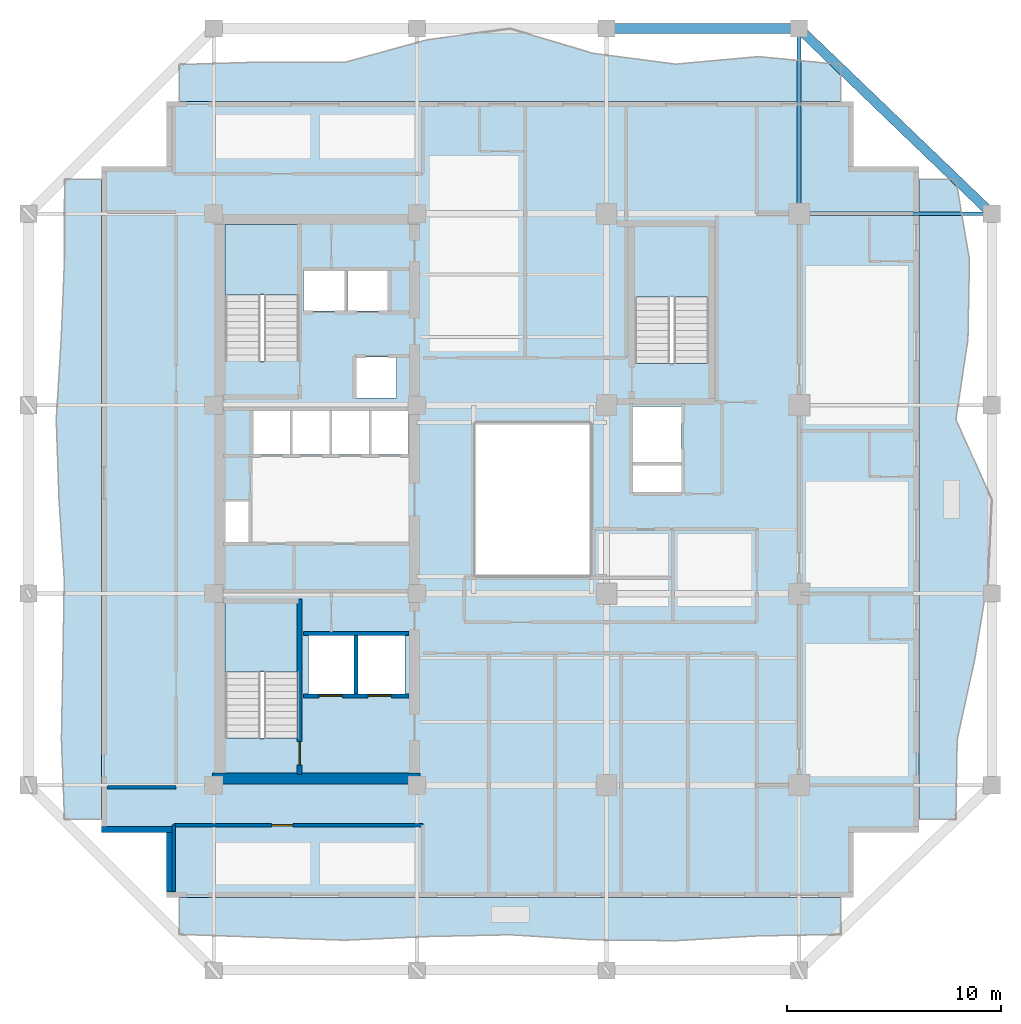
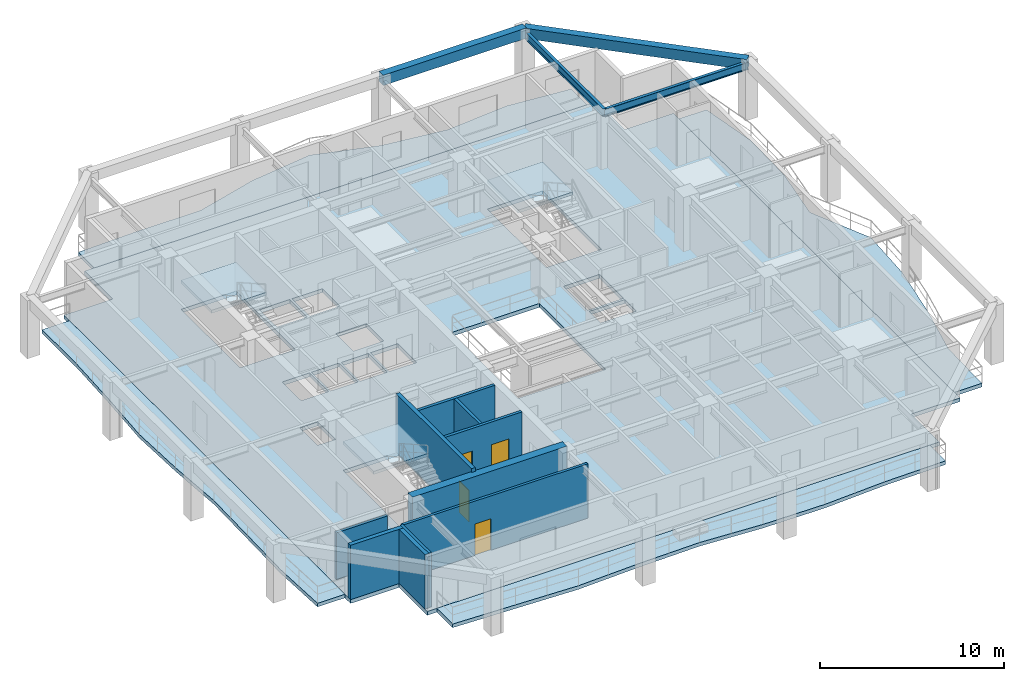
# One storey, part 2 of 11: 10 walls, 8 slabs, 4 beams, 4 doors, 4 openings, 3 elements without a shape of their own.
"""IFC4 building model written with IfcOpenShell, lengths in metres."""

import ifcopenshell
import ifcopenshell.guid

model = None  # the IFC model being written
_history = None  # IfcOwnerHistory: only IFC2X3 demands one
_inside = {}  # id of a spatial element -> (the spatial element, [elements in it])
_under = {}  # id of a project, library or spatial element -> (it, [spatial elements below it])
_declared = {}  # id of a project -> (the project, [libraries it declares])
_typed = {}  # id of a type object -> (the type object, [elements of that type])
_made_of = {}  # id of a material, layer set ... -> (it, [elements and type objects made of it])


def new_model(schema):
    """Start an empty IFC model of exactly this schema.

    Asked for "IFC4X3", IfcOpenShell would pick the latest addendum, in which some entities
    have other attributes; the version numbers below select the first issue.
    IFC2X3 requires an IfcOwnerHistory on every rooted entity: one is made here for all.
    """
    global model, _history
    if schema == "IFC4X3":
        model = ifcopenshell.file(schema_version=(4, 3, 0, 0))
    else:
        model = ifcopenshell.file(schema=schema)
    _inside.clear()
    _under.clear()
    _declared.clear()
    _typed.clear()
    _made_of.clear()
    _history = None
    if model.schema == "IFC2X3":
        org = make("IfcOrganization", Name="unknown")
        user = make(
            "IfcPersonAndOrganization",
            ThePerson=make("IfcPerson", FamilyName="unknown"),
            TheOrganization=org,
        )
        app = make(
            "IfcApplication",
            ApplicationDeveloper=org,
            Version="unknown",
            ApplicationFullName="unknown",
            ApplicationIdentifier="unknown",
        )
        _history = make(
            "IfcOwnerHistory",
            OwningUser=user,
            OwningApplication=app,
            ChangeAction="ADDED",
            CreationDate=0,
        )
    return model


def make(cls, **values):
    """One entity of the class cls with the attributes given. An attribute that is None is left unset."""
    return model.create_entity(
        cls, **{name: value for name, value in values.items() if value is not None}
    )


def rooted(cls, **values):
    """An entity with a GlobalId (a new one), such as an element, a storey or a relation."""
    return make(cls, GlobalId=ifcopenshell.guid.new(), OwnerHistory=_history, **values)


def si_unit(unit_type, name, prefix=None):
    """IfcSIUnit, for example si_unit("LENGTHUNIT", "METRE", prefix="MILLI")."""
    return make("IfcSIUnit", UnitType=unit_type, Prefix=prefix, Name=name)


def assignment(units):
    """IfcUnitAssignment: the units of a project."""
    return None if units is None else make("IfcUnitAssignment", Units=units)


def point(xyz):
    """IfcCartesianPoint."""
    return None if xyz is None else make("IfcCartesianPoint", Coordinates=xyz)


def direction(xyz):
    """IfcDirection."""
    return None if xyz is None else make("IfcDirection", DirectionRatios=xyz)


def frame(location, z_axis=None, x_axis=None):
    """IfcAxis2Placement3D, a coordinate frame: its origin and axes. An axis left out is left unset."""
    return make(
        "IfcAxis2Placement3D",
        Location=point(location),
        Axis=direction(z_axis),
        RefDirection=direction(x_axis),
    )


def frame_2d(location, x_axis=None):
    """IfcAxis2Placement2D, a coordinate frame in the plane: its origin and x axis."""
    return make(
        "IfcAxis2Placement2D", Location=point(location), RefDirection=direction(x_axis)
    )


def origin():
    """The frame at (0, 0, 0) with its axes left unset."""
    return frame((0.0, 0.0, 0.0))


def origin_2d():
    """The frame at (0, 0) in the plane with its x axis left unset."""
    return frame_2d((0.0, 0.0))


def place(relative_to, where):
    """IfcLocalPlacement: puts the frame where relative to a parent placement (None: the world)."""
    return make(
        "IfcLocalPlacement", PlacementRelTo=relative_to, RelativePlacement=where
    )


def context(
    kind, dimensions, precision=None, world=None, true_north=None, identifier=None
):
    """IfcGeometricRepresentationContext, for example the 3D "Model" context."""
    return make(
        "IfcGeometricRepresentationContext",
        ContextIdentifier=identifier,
        ContextType=kind,
        CoordinateSpaceDimension=dimensions,
        Precision=precision,
        WorldCoordinateSystem=world,
        TrueNorth=true_north,
    )


def subcontext(parent, identifier, kind, view, scale=None):
    """IfcGeometricRepresentationSubContext, for example "Body" below "Model"."""
    return make(
        "IfcGeometricRepresentationSubContext",
        ContextIdentifier=identifier,
        ContextType=kind,
        ParentContext=parent,
        TargetScale=scale,
        TargetView=view,
    )


def project(units=None, contexts=None):
    """IfcProject with its units and contexts."""
    return rooted(
        "IfcProject",
        Name="project",
        RepresentationContexts=contexts,
        UnitsInContext=assignment(units),
    )


def spatial(cls, under=None, at=None, **own):
    """A site, building, storey or space (cls), placed at a placement, below another one or the project."""
    s = rooted(cls, ObjectPlacement=at, **own)
    if under is not None:
        _under.setdefault(under.id(), (under, []))[1].append(s)
    return s


def polyline(points):
    """IfcPolyline through the points."""
    return make("IfcPolyline", Points=[point(p) for p in points])


def profile(cls, at=None, kind="AREA", **sizes):
    """A parametric profile (cls). Its sizes go by their IFC names, for example OverallWidth=200.0."""
    return make(cls, ProfileType=kind, Position=at, **sizes)


def rectangle(**sizes):
    """IfcRectangleProfileDef."""
    return profile("IfcRectangleProfileDef", **sizes)


def i_section(**sizes):
    """IfcIShapeProfileDef."""
    return profile("IfcIShapeProfileDef", **sizes)


def outline(outer, holes=None, kind="AREA"):
    """IfcArbitraryClosedProfileDef: a profile drawn as a closed curve; with holes, ...WithVoids."""
    if holes is None:
        return make("IfcArbitraryClosedProfileDef", ProfileType=kind, OuterCurve=outer)
    return make(
        "IfcArbitraryProfileDefWithVoids",
        ProfileType=kind,
        OuterCurve=outer,
        InnerCurves=holes,
    )


def extrude(swept, where, along, depth):
    """IfcExtrudedAreaSolid: the profile swept, set in the frame where, extruded along a direction by depth."""
    return make(
        "IfcExtrudedAreaSolid",
        SweptArea=swept,
        Position=where,
        ExtrudedDirection=direction(along),
        Depth=depth,
    )


def shape(context_of_items, identifier, shape_type, items):
    """IfcShapeRepresentation: the items that make up one representation, for example the "Body"."""
    return make(
        "IfcShapeRepresentation",
        ContextOfItems=context_of_items,
        RepresentationIdentifier=identifier,
        RepresentationType=shape_type,
        Items=items,
    )


def material(Name=None, Category=None):
    """IfcMaterial."""
    return make("IfcMaterial", Name=Name, Category=Category)


def layer(
    of_material, thickness, ventilated=None, Name=None, Category=None, Priority=None
):
    """IfcMaterialLayer: one layer of a wall or slab, of a material (None: an air gap)."""
    return make(
        "IfcMaterialLayer",
        Material=of_material,
        LayerThickness=thickness,
        IsVentilated=ventilated,
        Name=Name,
        Category=Category,
        Priority=Priority,
    )


def layer_set(layers, Name=None):
    """IfcMaterialLayerSet."""
    return make("IfcMaterialLayerSet", MaterialLayers=layers, LayerSetName=Name)


def material_profile(
    of_material, cross_section, Name=None, Category=None, Priority=None
):
    """IfcMaterialProfile: a cross section and its material."""
    return make(
        "IfcMaterialProfile",
        Name=Name,
        Material=of_material,
        Profile=cross_section,
        Priority=Priority,
        Category=Category,
    )


def profile_set(profiles, Name=None, composite=None):
    """IfcMaterialProfileSet."""
    return make(
        "IfcMaterialProfileSet",
        Name=Name,
        MaterialProfiles=profiles,
        CompositeProfile=composite,
    )


def made_of(thing, what):
    """Note that an element or type object is made of a material, layer set ...; save() writes the relation."""
    if what is not None:
        _made_of.setdefault(what.id(), (what, []))[1].append(thing)
    return thing


def type_object(cls, material=None, **own):
    """A type object (cls), such as IfcWallType, which elements share."""
    return made_of(rooted(cls, **own), material)


def element(
    cls,
    number,
    at=None,
    inside=None,
    cuts=None,
    type_object=None,
    material=None,
    context=None,
    identifier="Body",
    shape_type=None,
    held_by="IfcProductDefinitionShape",
    body=None,
    shapes=None,
    **own,
):
    """One element of the class cls, such as IfcWall. Its Tag is "e" and its number.

    at: its placement. inside: the storey or other place that contains it. cuts: it is an
    opening in that element (IfcRelVoidsElement). A single representation is given by context,
    identifier, shape_type and body (its items); several are given by shapes. held_by: the class
    of the entity that holds the representations. save() writes the other relations.
    """
    e = rooted(cls, Tag="e%d" % number, ObjectPlacement=at, **own)
    if body is not None:
        shapes = [shape(context, identifier, shape_type, body)]
    if shapes is not None:
        e.Representation = make(held_by, Representations=shapes)
    if inside is not None:
        _inside.setdefault(inside.id(), (inside, []))[1].append(e)
    if cuts is not None:
        rooted(
            "IfcRelVoidsElement", RelatingBuildingElement=cuts, RelatedOpeningElement=e
        )
    if type_object is not None:
        _typed.setdefault(type_object.id(), (type_object, []))[1].append(e)
    return made_of(e, material)


def fill(opening, filler):
    """IfcRelFillsElement: the door or window that sits in an opening."""
    return rooted(
        "IfcRelFillsElement",
        RelatingOpeningElement=opening,
        RelatedBuildingElement=filler,
    )


def aggregate(whole, parts):
    """IfcRelAggregates: a whole, such as a stair, and the parts it consists of."""
    return rooted("IfcRelAggregates", RelatingObject=whole, RelatedObjects=parts)


def save(model, path):
    """Write the relations noted so far, then the file.

    IfcRelAggregates (storeys below a building ...), IfcRelContainedInSpatialStructure (elements
    in a storey), IfcRelDefinesByType, IfcRelAssociatesMaterial and IfcRelDeclares: one each for
    every whole, place, type object, material and project.
    """
    for whole, parts in _under.values():
        aggregate(whole, parts)
    for where, things in _inside.values():
        rooted(
            "IfcRelContainedInSpatialStructure",
            RelatedElements=things,
            RelatingStructure=where,
        )
    for kind, things in _typed.values():
        rooted("IfcRelDefinesByType", RelatedObjects=things, RelatingType=kind)
    for what, things in _made_of.values():
        rooted("IfcRelAssociatesMaterial", RelatedObjects=things, RelatingMaterial=what)
    for by, libraries in _declared.values():
        rooted("IfcRelDeclares", RelatingContext=by, RelatedDefinitions=libraries)
    model.write(path)


model = new_model("IFC4")

# Units and contexts
model_context = context("Model", 3, precision=1e-05, world=origin(), true_north=direction((0.0, 1.0)))
body_context = subcontext(model_context, "Body", "Model", "MODEL_VIEW")
ifc_project = project(units=[si_unit("LENGTHUNIT", "METRE"), si_unit("AREAUNIT", "SQUARE_METRE"), si_unit("VOLUMEUNIT", "CUBIC_METRE"), si_unit("PLANEANGLEUNIT", "RADIAN"), si_unit("MASSUNIT", "GRAM", prefix="KILO")], contexts=[model_context])

# Site, building, storey
site_placement = place(None, origin())
site = spatial("IfcSite", under=ifc_project, at=site_placement, CompositionType="ELEMENT")
building_placement = place(site_placement, origin())
building = spatial("IfcBuilding", under=site, at=building_placement, Name="Kundavana Baori Tower", CompositionType="ELEMENT")
storey_placement = place(building_placement, frame((0.0, 0.0, 146.35009765625)))
storey = spatial("IfcBuildingStorey", under=building, at=storey_placement, Name="L35", CompositionType="ELEMENT", Elevation=146.35009765625)

# Beams
ifc_material_1 = material(Name="Concrete C50/60", Category="concrete")
ifc_material_profile_1 = material_profile(ifc_material_1, rectangle(XDim=0.449951171875, YDim=0.679931640625, at=origin_2d()), Name="RC BM 450x680")
ifc_profile_set_1 = profile_set([ifc_material_profile_1], Name="Concrete C50/60")
beam_type_1 = type_object("IfcBeamType", Name="BM-PF-680", PredefinedType="SPANDREL", material=ifc_profile_set_1)
beam_1_placement = place(storey_placement, frame((33.800048828125, 50.60009765625, 3.510009765625), z_axis=(1.0, 0.0, 0.0), x_axis=(0.0, 1.0, 0.0)))
element("IfcBeam", 1, at=beam_1_placement, inside=storey, type_object=beam_type_1, Name="L35 Perimeter Frame Ring Beam N3", PredefinedType="SPANDREL", context=body_context, shape_type="SweptSolid", body=[
    extrude(rectangle(XDim=0.449951171875, YDim=0.679931640625, at=origin_2d()), origin(), (0.0, 0.0, 1.0), 9.0),
])
beam_2_placement = place(storey_placement, frame((42.800048828125, 50.60009765625, 3.510009765625), z_axis=(0.720981122985, -0.692954702921, 0.0), x_axis=(0.692954702921, 0.720981122985, 0.0)))
element("IfcBeam", 2, at=beam_2_placement, inside=storey, type_object=beam_type_1, Name="L35 Notched Corner Perimeter Beam NE", PredefinedType="SPANDREL", context=body_context, shape_type="SweptSolid", body=[
    extrude(rectangle(XDim=0.449951171875, YDim=0.679931640625, at=origin_2d()), origin(), (0.0, 0.0, 1.0), 12.48291015625),
])
ifc_material_2 = material(Name="Structural Steel S355JR", Category="steel")
ifc_material_profile_2 = material_profile(ifc_material_2, i_section(OverallWidth=0.179931640625, OverallDepth=0.5, WebThickness=0.01025390625, FlangeThickness=0.01708984375, FilletRadius=0.01708984375, at=origin_2d()), Name="ISMB 500")
ifc_profile_set_2 = profile_set([ifc_material_profile_2], Name="Structural Steel S355JR")
beam_type_2 = type_object("IfcBeamType", Name="BM-TIE-500", PredefinedType="BEAM", material=ifc_profile_set_2)
beam_3_placement = place(storey_placement, frame((42.800048828125, 41.949951171875, 3.349853515625), z_axis=(0.0, 1.0, 0.0), x_axis=(-1.0, 0.0, 0.0)))
element("IfcBeam", 3, at=beam_3_placement, inside=storey, type_object=beam_type_2, Name="L35 North Radial Loggia Tie Beam N4", PredefinedType="BEAM", context=body_context, shape_type="SweptSolid", body=[
    extrude(i_section(OverallWidth=0.179931640625, OverallDepth=0.5, WebThickness=0.01025390625, FlangeThickness=0.01708984375, FilletRadius=0.01708984375, at=origin_2d()), origin(), (0.0, 0.0, 1.0), 8.650146484375),
])
beam_4_placement = place(storey_placement, frame((42.800048828125, 41.949951171875, 3.349853515625), z_axis=(1.0, 0.0, 0.0), x_axis=(0.0, 1.0, 0.0)))
element("IfcBeam", 4, at=beam_4_placement, inside=storey, type_object=beam_type_2, Name="L35 East Radial Loggia Tie Beam E4", PredefinedType="BEAM", context=body_context, shape_type="SweptSolid", body=[
    extrude(i_section(OverallWidth=0.179931640625, OverallDepth=0.5, WebThickness=0.01025390625, FlangeThickness=0.01708984375, FilletRadius=0.01708984375, at=origin_2d()), origin(), (0.0, 0.0, 1.0), 9.0),
])

# Slab
ifc_material_3 = material(Name="Concrete C40/50", Category="concrete")
ifc_layer_1 = layer(ifc_material_3, 0.25, Name="SLB-FLR-250")
ifc_layer_set_1 = layer_set([ifc_layer_1], Name="Concrete C40/50")
slab_type_1 = type_object("IfcSlabType", Name="SLB-FLR-250", PredefinedType="FLOOR", material=ifc_layer_set_1)
slab_1_placement = place(storey_placement, frame((0.0, 0.0, -0.25)))
element("IfcSlab", 5, at=slab_1_placement, inside=storey, type_object=slab_type_1, Name="L35 Structural Floor Slab", PredefinedType="FLOOR", context=body_context, shape_type="SweptSolid", body=[
    extrude(outline(polyline([(13.25, 10.0), (45.35009765625, 10.0), (45.35009765625, 13.050048828125), (48.39990234375, 13.050048828125), (48.39990234375, 44.14990234375), (45.35009765625, 44.14990234375), (45.35009765625, 47.199951171875), (13.25, 47.199951171875), (13.25, 44.14990234375), (10.199951171875, 44.14990234375), (10.199951171875, 13.050048828125), (13.25, 13.050048828125), (13.25, 10.0)]), holes=[polyline([(19.43994140625, 17.4619140625), (19.43994140625, 23.85009765625), (15.97998046875, 23.85009765625), (15.97998046875, 17.4619140625), (19.43994140625, 17.4619140625)]), polyline([(19.43994140625, 35.06201171875), (19.43994140625, 41.449951171875), (15.97998046875, 41.449951171875), (15.97998046875, 35.06201171875), (19.43994140625, 35.06201171875)]), polyline([(38.580078125, 34.9619140625), (38.580078125, 41.35009765625), (35.1201171875, 41.35009765625), (35.1201171875, 34.9619140625), (38.580078125, 34.9619140625)]), polyline([(17.300048828125, 30.699951171875), (19.02001953125, 30.699951171875), (19.02001953125, 32.75), (17.300048828125, 32.75), (17.300048828125, 30.699951171875)]), polyline([(19.139892578125, 30.699951171875), (20.860107421875, 30.699951171875), (20.860107421875, 32.75), (19.139892578125, 32.75), (19.139892578125, 30.699951171875)]), polyline([(20.97998046875, 30.699951171875), (22.699951171875, 30.699951171875), (22.699951171875, 32.75), (20.97998046875, 32.75), (20.97998046875, 30.699951171875)]), polyline([(22.820068359375, 30.699951171875), (24.5400390625, 30.699951171875), (24.5400390625, 32.75), (22.820068359375, 32.75), (22.820068359375, 30.699951171875)]), polyline([(19.64990234375, 37.39990234375), (21.550048828125, 37.39990234375), (21.550048828125, 39.300048828125), (19.64990234375, 39.300048828125), (19.64990234375, 37.39990234375)]), polyline([(21.699951171875, 37.39990234375), (23.60009765625, 37.39990234375), (23.60009765625, 39.300048828125), (21.699951171875, 39.300048828125), (21.699951171875, 37.39990234375)]), polyline([(22.10009765625, 33.35009765625), (24.0, 33.35009765625), (24.0, 35.25), (22.10009765625, 35.25), (22.10009765625, 33.35009765625)]), polyline([(19.8798828125, 19.5), (22.02001953125, 19.5), (22.02001953125, 22.25), (19.8798828125, 22.25), (19.8798828125, 19.5)]), polyline([(22.179931640625, 19.5), (24.3798828125, 19.5), (24.3798828125, 22.25), (22.179931640625, 22.25), (22.179931640625, 19.5)]), polyline([(35.050048828125, 30.35009765625), (37.300048828125, 30.35009765625), (37.300048828125, 32.949951171875), (35.050048828125, 32.949951171875), (35.050048828125, 30.35009765625)]), polyline([(15.949951171875, 26.60009765625), (17.080078125, 26.60009765625), (17.080078125, 28.5), (15.949951171875, 28.5), (15.949951171875, 26.60009765625)]), polyline([(35.050048828125, 28.949951171875), (37.300048828125, 28.949951171875), (37.300048828125, 30.199951171875), (35.050048828125, 30.199951171875), (35.050048828125, 28.949951171875)]), polyline([(27.60009765625, 25.0), (33.10009765625, 25.0), (33.10009765625, 32.199951171875), (27.60009765625, 32.199951171875), (27.60009765625, 25.0)])]), origin(), (0.0, 0.0, 1.0), 0.25),
])

# Stair, slab
ifc_material_4 = material(Name="Concrete C40/50", Category="concrete")
stair_type = type_object("IfcStairType", Name="STR-DOG-1650", PredefinedType="HALF_TURN_STAIR", material=ifc_material_4)
stair_1_placement = place(storey_placement, origin())
stair_1 = element("IfcStair", 6, at=stair_1_placement, inside=storey, type_object=stair_type, Name="L35 Protected Exit Stair ST1", PredefinedType="HALF_TURN_STAIR")
ifc_material_5 = material(Name="Concrete C40/50", Category="concrete")
ifc_layer_2 = layer(ifc_material_5, 0.199951171875, Name="SLB-LND-200")
ifc_layer_set_2 = layer_set([ifc_layer_2], Name="Concrete C40/50")
slab_type_2 = type_object("IfcSlabType", Name="SLB-LND-200", PredefinedType="LANDING", material=ifc_layer_set_2)
slab_2_placement = place(storey_placement, frame((0.0, 0.0, 1.724853515625)))
slab_2 = element("IfcSlab", 7, at=slab_2_placement, type_object=slab_type_2, Name="ST1 landing 1", PredefinedType="LANDING", context=body_context, shape_type="SweptSolid", body=[
    extrude(outline(polyline([(19.43994140625, 20.550048828125), (19.43994140625, 23.85009765625), (15.97998046875, 23.85009765625), (15.97998046875, 20.550048828125), (19.43994140625, 20.550048828125)])), origin(), (0.0, 0.0, 1.0), 0.199951171875),
])
aggregate(stair_1, [slab_2])

stair_2_placement = place(storey_placement, origin())
stair_2 = element("IfcStair", 8, at=stair_2_placement, inside=storey, type_object=stair_type, Name="L35 Protected Exit Stair ST2", PredefinedType="HALF_TURN_STAIR")
slab_3_placement = place(storey_placement, frame((0.0, 0.0, 1.724853515625)))
slab_3 = element("IfcSlab", 9, at=slab_3_placement, type_object=slab_type_2, Name="ST2 landing 1", PredefinedType="LANDING", context=body_context, shape_type="SweptSolid", body=[
    extrude(outline(polyline([(19.43994140625, 38.14990234375), (19.43994140625, 41.449951171875), (15.97998046875, 41.449951171875), (15.97998046875, 38.14990234375), (19.43994140625, 38.14990234375)])), origin(), (0.0, 0.0, 1.0), 0.199951171875),
])
aggregate(stair_2, [slab_3])

stair_3_placement = place(storey_placement, origin())
stair_3 = element("IfcStair", 10, at=stair_3_placement, inside=storey, type_object=stair_type, Name="L35 Protected Exit Stair ST3", PredefinedType="HALF_TURN_STAIR")
slab_4_placement = place(storey_placement, frame((0.0, 0.0, 1.724853515625)))
slab_4 = element("IfcSlab", 11, at=slab_4_placement, type_object=slab_type_2, Name="ST3 landing 1", PredefinedType="LANDING", context=body_context, shape_type="SweptSolid", body=[
    extrude(outline(polyline([(38.580078125, 38.050048828125), (38.580078125, 41.35009765625), (35.1201171875, 41.35009765625), (35.1201171875, 38.050048828125), (38.580078125, 38.050048828125)])), origin(), (0.0, 0.0, 1.0), 0.199951171875),
])
aggregate(stair_3, [slab_4])

# Slabs
ifc_material_6 = material(Name="Concrete C40/50", Category="concrete")
ifc_layer_3 = layer(ifc_material_6, 0.239990234375, Name="SLB-LOG-240")
ifc_layer_set_3 = layer_set([ifc_layer_3], Name="Concrete C40/50")
slab_type_3 = type_object("IfcSlabType", Name="SLB-LOG-240", PredefinedType="FLOOR", material=ifc_layer_set_3)
slab_5_placement = place(storey_placement, frame((0.0, 0.0, -0.239990234375)))
element("IfcSlab", 12, at=slab_5_placement, inside=storey, type_object=slab_type_3, Name="L35 Planted Loggia Balcony Slab S", PredefinedType="FLOOR", context=body_context, shape_type="SweptSolid", body=[
    extrude(outline(polyline([(13.85009765625, 10.0), (44.75, 10.0), (44.75, 8.280029296875), (40.886962890625, 8.2119140625), (37.02490234375, 7.987060546875), (33.1630859375, 8.02294921875), (29.300048828125, 8.261962890625), (25.43798828125, 8.180908203125), (21.574951171875, 8.009033203125), (17.7119140625, 8.14794921875), (13.85009765625, 8.280029296875), (13.85009765625, 10.0)])), origin(), (0.0, 0.0, 1.0), 0.239990234375),
])
slab_6_placement = place(storey_placement, frame((0.0, 0.0, -0.239990234375)))
element("IfcSlab", 13, at=slab_6_placement, inside=storey, type_object=slab_type_3, Name="L35 Planted Loggia Balcony Slab E", PredefinedType="FLOOR", context=body_context, shape_type="SweptSolid", body=[
    extrude(outline(polyline([(48.39990234375, 13.64990234375), (48.39990234375, 43.550048828125), (50.1201171875, 43.550048828125), (50.757080078125, 39.81201171875), (50.68603515625, 36.074951171875), (50.123046875, 32.3369140625), (51.800048828125, 28.60009765625), (51.6201171875, 24.862060546875), (51.0029296875, 21.125), (50.18505859375, 17.386962890625), (50.1201171875, 13.64990234375), (48.39990234375, 13.64990234375)])), origin(), (0.0, 0.0, 1.0), 0.239990234375),
])
slab_7_placement = place(storey_placement, frame((0.0, 0.0, -0.239990234375)))
element("IfcSlab", 14, at=slab_7_placement, inside=storey, type_object=slab_type_3, Name="L35 Planted Loggia Balcony Slab N", PredefinedType="FLOOR", context=body_context, shape_type="SweptSolid", body=[
    extrude(outline(polyline([(44.75, 47.199951171875), (13.85009765625, 47.199951171875), (13.85009765625, 48.919921875), (17.7119140625, 49.035888671875), (21.574951171875, 49.02490234375), (25.43798828125, 50.076904296875), (29.300048828125, 50.60009765625), (33.1630859375, 49.444091796875), (37.02490234375, 48.93701171875), (40.886962890625, 49.2890625), (44.75, 48.919921875), (44.75, 47.199951171875)])), origin(), (0.0, 0.0, 1.0), 0.239990234375),
])
slab_8_placement = place(storey_placement, frame((0.0, 0.0, -0.239990234375)))
element("IfcSlab", 15, at=slab_8_placement, inside=storey, type_object=slab_type_3, Name="L35 Planted Loggia Balcony Slab W", PredefinedType="FLOOR", context=body_context, shape_type="SweptSolid", body=[
    extrude(outline(polyline([(10.199951171875, 43.550048828125), (10.199951171875, 13.64990234375), (8.47998046875, 13.64990234375), (8.3349609375, 17.386962890625), (8.404052734375, 21.125), (8.467041015625, 24.862060546875), (8.221923828125, 28.60009765625), (8.093017578125, 32.3369140625), (8.323974609375, 36.074951171875), (8.47900390625, 39.81201171875), (8.47998046875, 43.550048828125), (10.199951171875, 43.550048828125)])), origin(), (0.0, 0.0, 1.0), 0.239990234375),
])

# Wall, opening, door
ifc_material_7 = material(Name="Concrete C50/60", Category="concrete")
ifc_layer_4 = layer(ifc_material_7, 0.39990234375, Name="WL-CORE-400")
ifc_layer_set_4 = layer_set([ifc_layer_4], Name="Concrete C50/60")
wall_type_1 = type_object("IfcWallType", Name="WL-CORE-400", PredefinedType="SHEAR", material=ifc_layer_set_4)
wall_1_placement = place(storey_placement, frame((19.4599609375, 15.739990234375, 0.0), z_axis=(0.0, 0.0, 1.0), x_axis=(0.0, 1.0, 0.0)))
wall_1 = element("IfcWall", 16, at=wall_1_placement, inside=storey, type_object=wall_type_1, Name="WL-L35-ST1-E", PredefinedType="SHEAR", context=body_context, shape_type="SweptSolid", body=[
    extrude(rectangle(XDim=8.199951171875, YDim=0.239990234375, at=frame_2d((4.10009765625, 0.0))), origin(), (0.0, 0.0, 1.0), 3.849853515625),
])
opening_1_placement = place(wall_1_placement, frame((0.449951171875, 0.0, 0.0)))
opening_1 = element("IfcOpeningElement", 17, at=opening_1_placement, cuts=wall_1, Name="Opening FD-110", PredefinedType="OPENING", context=body_context, shape_type="SweptSolid", body=[
    extrude(rectangle(XDim=1.10009765625, YDim=2.10009765625, at=frame_2d((0.550048828125, 1.050048828125))), frame((0.0, 0.1298828125, 0.0), z_axis=(0.0, -1.0, 0.0), x_axis=(1.0, 0.0, 0.0)), (0.0, 0.0, 1.0), 0.260009765625),
])
ifc_material_8 = material(Name="Galvanised Steel Fire-Rated Door Leaf", Category="steel")
door_type_1 = type_object("IfcDoorType", Name="DR-FD120-1100", OperationType="NOTDEFINED", PredefinedType="DOOR", material=ifc_material_8)
door_1_placement = place(opening_1_placement, origin())
door_1 = element("IfcDoor", 18, at=door_1_placement, inside=storey, type_object=door_type_1, Name="DR-L35-ST1", OperationType="SINGLE_SWING_LEFT", OverallHeight=2.10009765625, OverallWidth=1.10009765625, PredefinedType="DOOR", context=body_context, shape_type="SweptSolid", body=[
    extrude(rectangle(XDim=1.10009765625, YDim=2.10009765625, at=frame_2d((0.550048828125, 1.050048828125))), frame((0.0, 0.02490234375, 0.0), z_axis=(0.0, -1.0, 0.0), x_axis=(1.0, 0.0, 0.0)), (0.0, 0.0, 1.0), 0.050048828125),
])
fill(opening_1, door_1)

# Walls
ifc_material_9 = material(Name="Concrete C50/60", Category="concrete")
ifc_layer_5 = layer(ifc_material_9, 0.5, Name="WL-CORE-500")
ifc_layer_set_5 = layer_set([ifc_layer_5], Name="Concrete C50/60")
wall_type_2 = type_object("IfcWallType", Name="WL-CORE-500", PredefinedType="SHEAR", material=ifc_layer_set_5)
wall_2_placement = place(storey_placement, frame((15.39990234375, 15.56005859375, 0.0), z_axis=(0.0, 0.0, 1.0), x_axis=(1.0, 0.0, 0.0)))
element("IfcWall", 19, at=wall_2_placement, inside=storey, type_object=wall_type_2, Name="L35 Offset Core South Shear Wall", PredefinedType="SHEAR", context=body_context, shape_type="SweptSolid", body=[
    extrude(rectangle(XDim=9.68017578125, YDim=0.5, at=frame_2d((4.840087890625, 0.0))), origin(), (0.0, 0.0, 1.0), 3.599853515625),
])
ifc_material_10 = material(Name="Kiln-Fired Terracotta Brick-Slip Masonry on Concrete C40/50", Category="masonry")
ifc_layer_6 = layer(ifc_material_10, 0.260009765625, Name="WL-EXT-BRK-260")
ifc_layer_set_6 = layer_set([ifc_layer_6], Name="Kiln-Fired Terracotta Brick-Slip Masonry on Concrete C40/50")
wall_type_3 = type_object("IfcWallType", Name="WL-EXT-BRK-260", PredefinedType="SOLIDWALL", material=ifc_layer_set_6)
wall_3_placement = place(storey_placement, frame((10.199951171875, 13.179931640625, 0.0), z_axis=(0.0, 0.0, 1.0), x_axis=(1.0, 0.0, 0.0)))
element("IfcWall", 20, at=wall_3_placement, inside=storey, type_object=wall_type_3, Name="L35 Exterior Insulated Facade Wall 11", PredefinedType="SOLIDWALL", context=body_context, shape_type="SweptSolid", body=[
    extrude(rectangle(XDim=3.31005859375, YDim=0.260009765625, at=frame_2d((1.655029296875, 0.0))), origin(), (0.0, 0.0, 1.0), 3.599853515625),
])
wall_4_placement = place(storey_placement, frame((13.3798828125, 13.050048828125, 0.0), z_axis=(0.0, 0.0, 1.0), x_axis=(0.0, -1.0, 0.0)))
element("IfcWall", 21, at=wall_4_placement, inside=storey, type_object=wall_type_3, Name="L35 Exterior Insulated Facade Wall 12", PredefinedType="SOLIDWALL", context=body_context, shape_type="SweptSolid", body=[
    extrude(rectangle(XDim=2.7900390625, YDim=0.260009765625, at=frame_2d((1.39501953125, 0.0))), origin(), (0.0, 0.0, 1.0), 3.599853515625),
])
ifc_material_11 = material(Name="Fire-Rated Gypsum Drywall on Galvanised Steel Studs", Category="steel")
ifc_layer_7 = layer(ifc_material_11, 0.1650390625, Name="WL-PART-165")
ifc_layer_set_7 = layer_set([ifc_layer_7], Name="Fire-Rated Gypsum Drywall on Galvanised Steel Studs")
wall_type_4 = type_object("IfcWallType", Name="WL-PART-165", PredefinedType="PARTITIONING", material=ifc_layer_set_7)
wall_5_placement = place(storey_placement, frame((10.47998046875, 15.159912109375, 0.0), z_axis=(0.0, 0.0, 1.0), x_axis=(1.0, 0.0, 0.0)))
element("IfcWall", 22, at=wall_5_placement, inside=storey, type_object=wall_type_4, Name="WL-L35-HWS", PredefinedType="PARTITIONING", context=body_context, shape_type="SweptSolid", body=[
    extrude(rectangle(XDim=3.219970703125, YDim=0.1650390625, at=frame_2d((1.60986328125, 0.0))), origin(), (0.0, 0.0, 1.0), 3.099853515625),
])

# Wall, opening, door
wall_6_placement = place(storey_placement, frame((13.590087890625, 13.3798828125, 0.0), z_axis=(0.0, 0.0, 1.0), x_axis=(1.0, 0.0, 0.0)))
wall_6 = element("IfcWall", 23, at=wall_6_placement, inside=storey, type_object=wall_type_4, Name="WL-L35-HSC", PredefinedType="PARTITIONING", context=body_context, shape_type="SweptSolid", body=[
    extrude(rectangle(XDim=11.6298828125, YDim=0.1650390625, at=frame_2d((5.81494140625, 0.0))), origin(), (0.0, 0.0, 1.0), 3.599853515625),
])
opening_2_placement = place(wall_6_placement, frame((4.56005859375, 0.0, 0.0)))
opening_2 = element("IfcOpeningElement", 24, at=opening_2_placement, cuts=wall_6, Name="Opening ID-100", PredefinedType="OPENING", context=body_context, shape_type="SweptSolid", body=[
    extrude(rectangle(XDim=1.0, YDim=2.080078125, at=frame_2d((0.5, 1.0400390625))), frame((0.0, 0.092529296875, 0.0), z_axis=(0.0, -1.0, 0.0), x_axis=(1.0, 0.0, 0.0)), (0.0, 0.0, 1.0), 0.18505859375),
])
ifc_material_12 = material(Name="Engineered Teak Solid-Core Timber Veneer", Category="wood")
door_type_2 = type_object("IfcDoorType", Name="DR-INT-1000", OperationType="NOTDEFINED", PredefinedType="DOOR", material=ifc_material_12)
door_2_placement = place(opening_2_placement, frame((1.0, 0.0, 0.0), z_axis=(0.0, 0.0, 1.0), x_axis=(-1.0, 0.0, 0.0)))
door_2 = element("IfcDoor", 25, at=door_2_placement, inside=storey, type_object=door_type_2, Name="DR-L35-HMSW", OperationType="SINGLE_SWING_LEFT", OverallHeight=2.080078125, OverallWidth=1.0, PredefinedType="DOOR", context=body_context, shape_type="SweptSolid", body=[
    extrude(rectangle(XDim=1.0, YDim=2.080078125, at=frame_2d((0.5, 1.0400390625))), frame((0.0, 0.02490234375, 0.0), z_axis=(0.0, -1.0, 0.0), x_axis=(1.0, 0.0, 0.0)), (0.0, 0.0, 1.0), 0.050048828125),
])
fill(opening_2, door_2)

# Wall
wall_7_placement = place(storey_placement, frame((13.590087890625, 10.280029296875, 0.0), z_axis=(0.0, 0.0, 1.0), x_axis=(0.0, 1.0, 0.0)))
element("IfcWall", 26, at=wall_7_placement, inside=storey, type_object=wall_type_4, Name="WL-L35-HSCW", PredefinedType="PARTITIONING", context=body_context, shape_type="SweptSolid", body=[
    extrude(rectangle(XDim=3.099853515625, YDim=0.1650390625, at=frame_2d((1.5498046875, 0.0))), origin(), (0.0, 0.0, 1.0), 3.599853515625),
])

# Wall, openings, doors
ifc_material_13 = material(Name="Autoclaved Aerated Concrete Blockwork Masonry", Category="masonry")
ifc_layer_8 = layer(ifc_material_13, 0.179931640625, Name="WL-SHAFT-180")
ifc_layer_set_8 = layer_set([ifc_layer_8], Name="Autoclaved Aerated Concrete Blockwork Masonry")
wall_type_5 = type_object("IfcWallType", Name="WL-SHAFT-180", PredefinedType="SOLIDWALL", material=ifc_layer_set_8)
wall_8_placement = place(storey_placement, frame((19.639892578125, 19.419921875, 0.0), z_axis=(0.0, 0.0, 1.0), x_axis=(1.0, 0.0, 0.0)))
wall_8 = element("IfcWall", 27, at=wall_8_placement, inside=storey, type_object=wall_type_5, Name="WL-L35-FFL-S", PredefinedType="SOLIDWALL", context=body_context, shape_type="SweptSolid", body=[
    extrude(rectangle(XDim=4.940185546875, YDim=0.179931640625, at=frame_2d((2.47021484375, 0.0))), origin(), (0.0, 0.0, 1.0), 3.599853515625),
])
opening_3_placement = place(wall_8_placement, frame((0.719970703125, 0.0, 0.0)))
opening_3 = element("IfcOpeningElement", 28, at=opening_3_placement, cuts=wall_8, Name="Opening LD-110", PredefinedType="OPENING", context=body_context, shape_type="SweptSolid", body=[
    extrude(rectangle(XDim=1.10009765625, YDim=2.10009765625, at=frame_2d((0.550048828125, 1.050048828125))), frame((0.0, 0.10009765625, 0.0), z_axis=(0.0, -1.0, 0.0), x_axis=(1.0, 0.0, 0.0)), (0.0, 0.0, 1.0), 0.199951171875),
])
opening_4_placement = place(wall_8_placement, frame((3.02001953125, 0.0, 0.0)))
opening_4 = element("IfcOpeningElement", 29, at=opening_4_placement, cuts=wall_8, Name="Opening LD-110", PredefinedType="OPENING", context=body_context, shape_type="SweptSolid", body=[
    extrude(rectangle(XDim=1.10009765625, YDim=2.10009765625, at=frame_2d((0.550048828125, 1.050048828125))), frame((0.0, 0.10009765625, 0.0), z_axis=(0.0, -1.0, 0.0), x_axis=(1.0, 0.0, 0.0)), (0.0, 0.0, 1.0), 0.199951171875),
])
ifc_material_14 = material(Name="Galvanised Steel Fire-Rated Door Leaf", Category="steel")
door_type_3 = type_object("IfcDoorType", Name="DR-SLIDE-LD1100", OperationType="NOTDEFINED", PredefinedType="DOOR", material=ifc_material_14)
door_3_placement = place(opening_3_placement, origin())
door_3 = element("IfcDoor", 30, at=door_3_placement, inside=storey, type_object=door_type_3, Name="DR-L35-LD-FFL-1", OperationType="DOUBLE_DOOR_SLIDING", OverallHeight=2.10009765625, OverallWidth=1.10009765625, PredefinedType="DOOR", context=body_context, shape_type="SweptSolid", body=[
    extrude(rectangle(XDim=1.10009765625, YDim=2.10009765625, at=frame_2d((0.550048828125, 1.050048828125))), frame((0.0, 0.02490234375, 0.0), z_axis=(0.0, -1.0, 0.0), x_axis=(1.0, 0.0, 0.0)), (0.0, 0.0, 1.0), 0.050048828125),
])
fill(opening_3, door_3)
door_4_placement = place(opening_4_placement, origin())
door_4 = element("IfcDoor", 31, at=door_4_placement, inside=storey, type_object=door_type_3, Name="DR-L35-LD-FFL-2", OperationType="DOUBLE_DOOR_SLIDING", OverallHeight=2.10009765625, OverallWidth=1.10009765625, PredefinedType="DOOR", context=body_context, shape_type="SweptSolid", body=[
    extrude(rectangle(XDim=1.10009765625, YDim=2.10009765625, at=frame_2d((0.550048828125, 1.050048828125))), frame((0.0, 0.02490234375, 0.0), z_axis=(0.0, -1.0, 0.0), x_axis=(1.0, 0.0, 0.0)), (0.0, 0.0, 1.0), 0.050048828125),
])
fill(opening_4, door_4)

# Walls
wall_9_placement = place(storey_placement, frame((22.10009765625, 19.510009765625, 0.0), z_axis=(0.0, 0.0, 1.0), x_axis=(0.0, 1.0, 0.0)))
element("IfcWall", 32, at=wall_9_placement, inside=storey, type_object=wall_type_5, Name="WL-L35-FFL-MID", PredefinedType="SOLIDWALL", context=body_context, shape_type="SweptSolid", body=[
    extrude(rectangle(XDim=2.739990234375, YDim=0.179931640625, at=frame_2d((1.3701171875, 0.0))), origin(), (0.0, 0.0, 1.0), 3.599853515625),
])
wall_10_placement = place(storey_placement, frame((19.639892578125, 22.340087890625, 0.0), z_axis=(0.0, 0.0, 1.0), x_axis=(1.0, 0.0, 0.0)))
element("IfcWall", 33, at=wall_10_placement, inside=storey, type_object=wall_type_5, Name="WL-L35-FFL-N", PredefinedType="SOLIDWALL", context=body_context, shape_type="SweptSolid", body=[
    extrude(rectangle(XDim=4.940185546875, YDim=0.179931640625, at=frame_2d((2.47021484375, 0.0))), origin(), (0.0, 0.0, 1.0), 3.599853515625),
])

save(model, "model.ifc")
